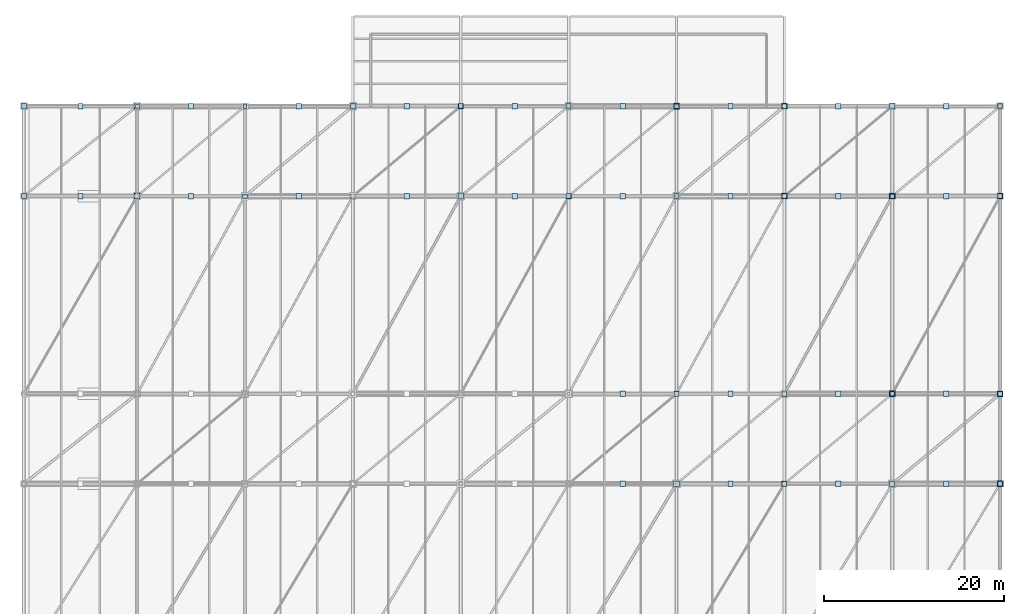
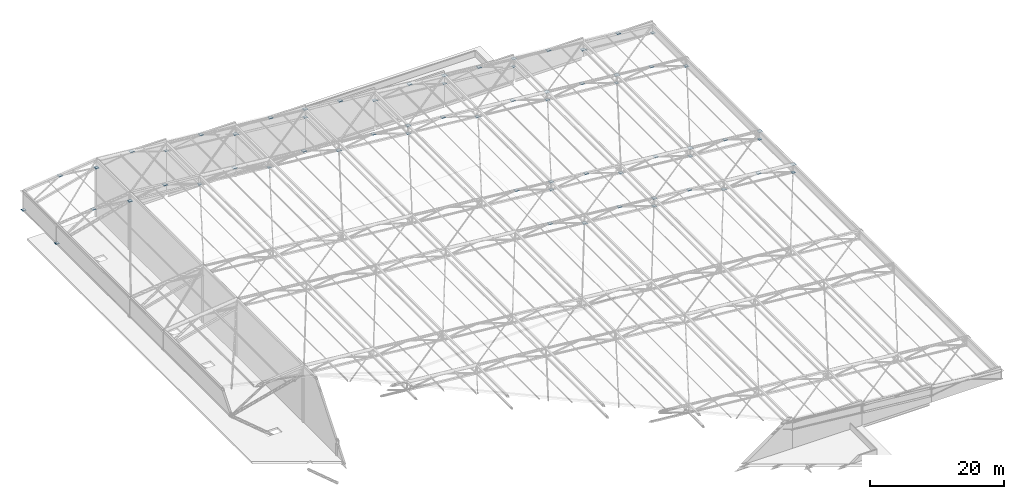
# One storey, part 42 of 44: 71 plates.
"""IFC4 building model written with IfcOpenShell, lengths in metres."""

from ifc_helpers import new_model, si_unit, direction, frame, origin, origin_2d, place, context, subcontext, project, spatial, rectangle, extrude, material, layer, layer_set, type_object, element, save


model = new_model("IFC4")

# Units and contexts
model_context = context("Model", 3, precision=1e-05, world=origin(), true_north=direction((0.0, 1.0)))
body_context = subcontext(model_context, "Body", "Model", "MODEL_VIEW")
ifc_project = project(units=[si_unit("LENGTHUNIT", "METRE"), si_unit("AREAUNIT", "SQUARE_METRE"), si_unit("VOLUMEUNIT", "CUBIC_METRE"), si_unit("PLANEANGLEUNIT", "RADIAN"), si_unit("MASSUNIT", "GRAM", prefix="KILO")], contexts=[model_context])

# Site, building, storey
site_placement = place(None, origin())
site = spatial("IfcSite", under=ifc_project, at=site_placement, CompositionType="ELEMENT")
building_placement = place(site_placement, origin())
building = spatial("IfcBuilding", under=site, at=building_placement, Name="Brinegate Civic Arena", CompositionType="ELEMENT")
storey_placement = place(building_placement, frame((0.0, 0.0, 29.39990234375)))
storey = spatial("IfcBuildingStorey", under=building, at=storey_placement, Name="RF", CompositionType="ELEMENT", Elevation=29.39990234375)

# Plates
ifc_material = material(Name="Steel S355", Category="steel")
ifc_layer_1 = layer(ifc_material, 0.02392578125, Name="Steel S355")
ifc_layer_set_1 = layer_set([ifc_layer_1], Name="Steel S355")
plate_type_1 = type_object("IfcPlateType", Name="PLATE-BASE-480X24", PredefinedType="SHEET", material=ifc_layer_set_1)
for number, where, z_axis, x_axis, name in (
    (1, (156.0, 82.0, 0.088134765625), (0.0, 0.0, 1.0), (1.0, 0.0, 0.0), "Welded Steel Node Cap Plate NPL-B-174"),
    (2, (84.0, 104.0, 6.838134765625), (0.0, 0.0, 1.0), (1.0, 0.0, 0.0), "Welded Steel Node Cap Plate NPL-B-191"),
    (3, (144.0, 104.0, 1.213134765625), (0.0, 0.0, 1.0), (1.0, 0.0, 0.0), "Welded Steel Node Cap Plate NPL-B-201"),
    (4, (72.0, 114.0, 7.963134765625), (0.0, 0.0, 1.0), (1.0, 0.0, 0.0), "Welded Steel Node Cap Plate NPL-B-218"),
    (5, (132.0, 114.0, 2.338134765625), (0.0, 0.0, 1.0), (1.0, 0.0, 0.0), "Welded Steel Node Cap Plate NPL-B-228"),
    (6, (156.0, 72.0, 0.09716796875), (0.0, 0.0, 1.0), (1.0, 0.0, 0.0), "Welded Steel Column Node Cap Plate CPL-TOP-039"),
    (7, (156.0, 82.0, 0.09716796875), (0.0, 0.0, 1.0), (1.0, 0.0, 0.0), "Welded Steel Column Node Cap Plate CPL-TOP-041"),
    (8, (156.0, 104.0, 0.09716796875), (0.0, 0.0, 1.0), (1.0, 0.0, 0.0), "Welded Steel Column Node Cap Plate CPL-TOP-043"),
    (9, (156.0, 114.0, 0.09716796875), (0.0, 0.0, 1.0), (1.0, 0.0, 0.0), "Welded Steel Column Node Cap Plate CPL-TOP-045"),
):
    element("IfcPlate", number, at=place(storey_placement, frame(where, z_axis=z_axis, x_axis=x_axis)), inside=storey, type_object=plate_type_1, Name=name, PredefinedType="SHEET", context=body_context, shape_type="SweptSolid", body=[
        extrude(rectangle(XDim=0.47998046875, YDim=0.47998046875, at=origin_2d()), origin(), (0.0, 0.0, 1.0), 0.02392578125),
    ])
ifc_layer_2 = layer(ifc_material, 0.02587890625, Name="Steel S355")
ifc_layer_set_2 = layer_set([ifc_layer_2], Name="Steel S355")
plate_type_2 = type_object("IfcPlateType", Name="PLATE-BASE-640X26", PredefinedType="SHEET", material=ifc_layer_set_2)
for number, where, z_axis, x_axis, name in (
    (10, (60.0, 104.0, 9.09716796875), (0.0, 0.0, 1.0), (1.0, 0.0, 0.0), "Welded Steel Column Node Cap Plate CPL-TOP-042"),
    (11, (60.0, 114.0, 9.09716796875), (0.0, 0.0, 1.0), (1.0, 0.0, 0.0), "Welded Steel Column Node Cap Plate CPL-TOP-044"),
):
    element("IfcPlate", number, at=place(storey_placement, frame(where, z_axis=z_axis, x_axis=x_axis)), inside=storey, type_object=plate_type_2, Name=name, PredefinedType="SHEET", context=body_context, shape_type="SweptSolid", body=[
        extrude(rectangle(XDim=0.639892578125, YDim=0.639892578125, at=origin_2d()), origin(), (0.0, 0.0, 1.0), 0.02587890625),
    ])
ifc_layer_3 = layer(ifc_material, 0.02001953125, Name="Steel S355")
ifc_layer_set_3 = layer_set([ifc_layer_3], Name="Steel S355")
plate_type_3 = type_object("IfcPlateType", Name="PLATE-CAP-520X20", PredefinedType="SHEET", material=ifc_layer_set_3)
for number, where, z_axis, x_axis, name in (
    (12, (156.0, 72.0, 0.090087890625), (0.0, 0.0, 1.0), (1.0, 0.0, 0.0), "Welded Steel Node Cap Plate NPL-B-145"),
    (13, (144.0, 82.0, 1.215087890625), (0.0, 0.0, 1.0), (1.0, 0.0, 0.0), "Welded Steel Node Cap Plate NPL-B-172"),
    (14, (72.0, 104.0, 7.965087890625), (0.0, 0.0, 1.0), (1.0, 0.0, 0.0), "Welded Steel Node Cap Plate NPL-B-189"),
    (15, (132.0, 104.0, 2.340087890625), (0.0, 0.0, 1.0), (1.0, 0.0, 0.0), "Welded Steel Node Cap Plate NPL-B-199"),
    (16, (60.0, 114.0, 9.090087890625), (0.0, 0.0, 1.0), (1.0, 0.0, 0.0), "Welded Steel Node Cap Plate NPL-B-216"),
    (17, (120.0, 114.0, 3.465087890625), (0.0, 0.0, 1.0), (1.0, 0.0, 0.0), "Welded Steel Node Cap Plate NPL-B-226"),
):
    element("IfcPlate", number, at=place(storey_placement, frame(where, z_axis=z_axis, x_axis=x_axis)), inside=storey, type_object=plate_type_3, Name=name, PredefinedType="SHEET", context=body_context, shape_type="SweptSolid", body=[
        extrude(rectangle(XDim=0.52001953125, YDim=0.52001953125, at=origin_2d()), origin(), (0.0, 0.0, 1.0), 0.02001953125),
    ])
ifc_layer_4 = layer(ifc_material, 0.02392578125, Name="Steel S355")
ifc_layer_set_4 = layer_set([ifc_layer_4], Name="Steel S355")
plate_type_4 = type_object("IfcPlateType", Name="PLATE-CAP-550X24", PredefinedType="SHEET", material=ifc_layer_set_4)
for number, where, z_axis, x_axis, name in (
    (18, (132.0, 72.0, 2.338134765625), (0.0, 0.0, 1.0), (1.0, 0.0, 0.0), "Welded Steel Node Cap Plate NPL-B-141"),
    (19, (120.0, 82.0, 3.463134765625), (0.0, 0.0, 1.0), (1.0, 0.0, 0.0), "Welded Steel Node Cap Plate NPL-B-168"),
    (20, (47.39990234375, 104.0, 5.7880859375), (0.0, 0.0, 1.0), (1.0, 0.0, 0.0), "Welded Steel Node Cap Plate NPL-B-185"),
    (21, (108.0, 104.0, 4.588134765625), (0.0, 0.0, 1.0), (1.0, 0.0, 0.0), "Welded Steel Node Cap Plate NPL-B-195"),
    (22, (96.0, 114.0, 5.713134765625), (0.0, 0.0, 1.0), (1.0, 0.0, 0.0), "Welded Steel Node Cap Plate NPL-B-222"),
    (23, (156.0, 114.0, 0.088134765625), (0.0, 0.0, 1.0), (1.0, 0.0, 0.0), "Welded Steel Node Cap Plate NPL-B-232"),
):
    element("IfcPlate", number, at=place(storey_placement, frame(where, z_axis=z_axis, x_axis=x_axis)), inside=storey, type_object=plate_type_4, Name=name, PredefinedType="SHEET", context=body_context, shape_type="SweptSolid", body=[
        extrude(rectangle(XDim=0.550048828125, YDim=0.550048828125, at=origin_2d()), origin(), (0.0, 0.0, 1.0), 0.02392578125),
    ])
ifc_layer_5 = layer(ifc_material, 0.02197265625, Name="Steel S355")
ifc_layer_set_5 = layer_set([ifc_layer_5], Name="Steel S355")
plate_type_5 = type_object("IfcPlateType", Name="PLATE-CAP-580X22", PredefinedType="SHEET", material=ifc_layer_set_5)
for number, where, z_axis, x_axis, name in (
    (24, (144.0, 72.0, 1.214111328125), (0.0, 0.0, 1.0), (1.0, 0.0, 0.0), "Welded Steel Node Cap Plate NPL-B-143"),
    (25, (132.0, 82.0, 2.339111328125), (0.0, 0.0, 1.0), (1.0, 0.0, 0.0), "Welded Steel Node Cap Plate NPL-B-170"),
    (26, (60.0, 104.0, 9.089111328125), (0.0, 0.0, 1.0), (1.0, 0.0, 0.0), "Welded Steel Node Cap Plate NPL-B-187"),
    (27, (120.0, 104.0, 3.464111328125), (0.0, 0.0, 1.0), (1.0, 0.0, 0.0), "Welded Steel Node Cap Plate NPL-B-197"),
    (28, (47.39990234375, 114.0, 5.7890625), (0.0, 0.0, 1.0), (1.0, 0.0, 0.0), "Welded Steel Node Cap Plate NPL-B-214"),
    (29, (108.0, 114.0, 4.589111328125), (0.0, 0.0, 1.0), (1.0, 0.0, 0.0), "Welded Steel Node Cap Plate NPL-B-224"),
):
    element("IfcPlate", number, at=place(storey_placement, frame(where, z_axis=z_axis, x_axis=x_axis)), inside=storey, type_object=plate_type_5, Name=name, PredefinedType="SHEET", context=body_context, shape_type="SweptSolid", body=[
        extrude(rectangle(XDim=0.580078125, YDim=0.580078125, at=origin_2d()), origin(), (0.0, 0.0, 1.0), 0.02197265625),
    ])
ifc_layer_6 = layer(ifc_material, 0.02587890625, Name="Steel S355")
ifc_layer_set_6 = layer_set([ifc_layer_6], Name="Steel S355")
plate_type_6 = type_object("IfcPlateType", Name="PLATE-NODE-600X26", PredefinedType="SHEET", material=ifc_layer_set_6)
for number, where, z_axis, x_axis, name in (
    (30, (114.0, 72.0, 5.47509765625), (0.0, 0.0, 1.0), (1.0, 0.0, 0.0), "Welded Steel Node Cap Plate NPL-M-122"),
    (31, (126.0, 72.0, 4.35009765625), (0.0, 0.0, 1.0), (1.0, 0.0, 0.0), "Welded Steel Node Cap Plate NPL-M-123"),
    (32, (138.0, 72.0, 3.22509765625), (0.0, 0.0, 1.0), (1.0, 0.0, 0.0), "Welded Steel Node Cap Plate NPL-M-124"),
    (33, (150.0, 72.0, 2.10009765625), (0.0, 0.0, 1.0), (1.0, 0.0, 0.0), "Welded Steel Node Cap Plate NPL-M-125"),
    (34, (132.0, 72.0, 3.787109375), (0.0, 0.0, 1.0), (1.0, 0.0, 0.0), "Welded Steel Node Cap Plate NPL-T-140"),
    (35, (114.0, 82.0, 5.47509765625), (0.0, 0.0, 1.0), (1.0, 0.0, 0.0), "Welded Steel Node Cap Plate NPL-M-151"),
    (36, (126.0, 82.0, 4.35009765625), (0.0, 0.0, 1.0), (1.0, 0.0, 0.0), "Welded Steel Node Cap Plate NPL-M-152"),
    (37, (138.0, 82.0, 3.22509765625), (0.0, 0.0, 1.0), (1.0, 0.0, 0.0), "Welded Steel Node Cap Plate NPL-M-153"),
    (38, (150.0, 82.0, 2.10009765625), (0.0, 0.0, 1.0), (1.0, 0.0, 0.0), "Welded Steel Node Cap Plate NPL-M-154"),
    (39, (120.0, 82.0, 4.912109375), (0.0, 0.0, 1.0), (1.0, 0.0, 0.0), "Welded Steel Node Cap Plate NPL-T-167"),
    (40, (53.699951171875, 104.0, 9.837158203125), (0.0, 0.0, 1.0), (1.0, 0.0, 0.0), "Welded Steel Node Cap Plate NPL-M-175"),
    (41, (66.0, 104.0, 9.97509765625), (0.0, 0.0, 1.0), (1.0, 0.0, 0.0), "Welded Steel Node Cap Plate NPL-M-176"),
    (42, (78.0, 104.0, 8.85009765625), (0.0, 0.0, 1.0), (1.0, 0.0, 0.0), "Welded Steel Node Cap Plate NPL-M-177"),
    (43, (90.0, 104.0, 7.72509765625), (0.0, 0.0, 1.0), (1.0, 0.0, 0.0), "Welded Steel Node Cap Plate NPL-M-178"),
    (44, (102.0, 104.0, 6.60009765625), (0.0, 0.0, 1.0), (1.0, 0.0, 0.0), "Welded Steel Node Cap Plate NPL-M-179"),
    (45, (114.0, 104.0, 5.47509765625), (0.0, 0.0, 1.0), (1.0, 0.0, 0.0), "Welded Steel Node Cap Plate NPL-M-180"),
    (46, (126.0, 104.0, 4.35009765625), (0.0, 0.0, 1.0), (1.0, 0.0, 0.0), "Welded Steel Node Cap Plate NPL-M-181"),
    (47, (138.0, 104.0, 3.22509765625), (0.0, 0.0, 1.0), (1.0, 0.0, 0.0), "Welded Steel Node Cap Plate NPL-M-182"),
    (48, (150.0, 104.0, 2.10009765625), (0.0, 0.0, 1.0), (1.0, 0.0, 0.0), "Welded Steel Node Cap Plate NPL-M-183"),
    (49, (108.0, 104.0, 6.037109375), (0.0, 0.0, 1.0), (1.0, 0.0, 0.0), "Welded Steel Node Cap Plate NPL-T-194"),
    (50, (53.699951171875, 114.0, 9.837158203125), (0.0, 0.0, 1.0), (1.0, 0.0, 0.0), "Welded Steel Node Cap Plate NPL-M-204"),
    (51, (66.0, 114.0, 9.97509765625), (0.0, 0.0, 1.0), (1.0, 0.0, 0.0), "Welded Steel Node Cap Plate NPL-M-205"),
    (52, (78.0, 114.0, 8.85009765625), (0.0, 0.0, 1.0), (1.0, 0.0, 0.0), "Welded Steel Node Cap Plate NPL-M-206"),
    (53, (90.0, 114.0, 7.72509765625), (0.0, 0.0, 1.0), (1.0, 0.0, 0.0), "Welded Steel Node Cap Plate NPL-M-207"),
    (54, (102.0, 114.0, 6.60009765625), (0.0, 0.0, 1.0), (1.0, 0.0, 0.0), "Welded Steel Node Cap Plate NPL-M-208"),
    (55, (114.0, 114.0, 5.47509765625), (0.0, 0.0, 1.0), (1.0, 0.0, 0.0), "Welded Steel Node Cap Plate NPL-M-209"),
    (56, (126.0, 114.0, 4.35009765625), (0.0, 0.0, 1.0), (1.0, 0.0, 0.0), "Welded Steel Node Cap Plate NPL-M-210"),
    (57, (138.0, 114.0, 3.22509765625), (0.0, 0.0, 1.0), (1.0, 0.0, 0.0), "Welded Steel Node Cap Plate NPL-M-211"),
    (58, (150.0, 114.0, 2.10009765625), (0.0, 0.0, 1.0), (1.0, 0.0, 0.0), "Welded Steel Node Cap Plate NPL-M-212"),
    (59, (96.0, 114.0, 7.162109375), (0.0, 0.0, 1.0), (1.0, 0.0, 0.0), "Welded Steel Node Cap Plate NPL-T-221"),
):
    element("IfcPlate", number, at=place(storey_placement, frame(where, z_axis=z_axis, x_axis=x_axis)), inside=storey, type_object=plate_type_6, Name=name, PredefinedType="SHEET", context=body_context, shape_type="SweptSolid", body=[
        extrude(rectangle(XDim=0.60009765625, YDim=0.60009765625, at=origin_2d()), origin(), (0.0, 0.0, 1.0), 0.02587890625),
    ])
ifc_layer_7 = layer(ifc_material, 0.02392578125, Name="Steel S355")
ifc_layer_set_7 = layer_set([ifc_layer_7], Name="Steel S355")
plate_type_7 = type_object("IfcPlateType", Name="PLATE-NODE-650X24", PredefinedType="SHEET", material=ifc_layer_set_7)
for number, where, z_axis, x_axis, name in (
    (60, (120.0, 72.0, 3.463134765625), (0.0, 0.0, 1.0), (1.0, 0.0, 0.0), "Welded Steel Node Cap Plate NPL-B-139"),
    (61, (96.0, 104.0, 5.713134765625), (0.0, 0.0, 1.0), (1.0, 0.0, 0.0), "Welded Steel Node Cap Plate NPL-B-193"),
    (62, (156.0, 104.0, 0.088134765625), (0.0, 0.0, 1.0), (1.0, 0.0, 0.0), "Welded Steel Node Cap Plate NPL-B-203"),
    (63, (84.0, 114.0, 6.838134765625), (0.0, 0.0, 1.0), (1.0, 0.0, 0.0), "Welded Steel Node Cap Plate NPL-B-220"),
    (64, (144.0, 114.0, 1.213134765625), (0.0, 0.0, 1.0), (1.0, 0.0, 0.0), "Welded Steel Node Cap Plate NPL-B-230"),
):
    element("IfcPlate", number, at=place(storey_placement, frame(where, z_axis=z_axis, x_axis=x_axis)), inside=storey, type_object=plate_type_7, Name=name, PredefinedType="SHEET", context=body_context, shape_type="SweptSolid", body=[
        extrude(rectangle(XDim=0.64990234375, YDim=0.64990234375, at=origin_2d()), origin(), (0.0, 0.0, 1.0), 0.02392578125),
    ])
ifc_layer_8 = layer(ifc_material, 0.02392578125, Name="Steel S355")
ifc_layer_set_8 = layer_set([ifc_layer_8], Name="Steel S355")
plate_type_8 = type_object("IfcPlateType", Name="PLATE-NODE-680X24", PredefinedType="SHEET", material=ifc_layer_set_8)
for number, where, z_axis, x_axis, name in (
    (65, (156.0, 82.0, 1.5380859375), (0.0, 0.0, 1.0), (1.0, 0.0, 0.0), "Welded Steel Node Cap Plate NPL-T-173"),
    (66, (144.0, 104.0, 2.6630859375), (0.0, 0.0, 1.0), (1.0, 0.0, 0.0), "Welded Steel Node Cap Plate NPL-T-200"),
    (67, (132.0, 114.0, 3.7880859375), (0.0, 0.0, 1.0), (1.0, 0.0, 0.0), "Welded Steel Node Cap Plate NPL-T-227"),
):
    element("IfcPlate", number, at=place(storey_placement, frame(where, z_axis=z_axis, x_axis=x_axis)), inside=storey, type_object=plate_type_8, Name=name, PredefinedType="SHEET", context=body_context, shape_type="SweptSolid", body=[
        extrude(rectangle(XDim=0.679931640625, YDim=0.679931640625, at=origin_2d()), origin(), (0.0, 0.0, 1.0), 0.02392578125),
    ])
ifc_layer_9 = layer(ifc_material, 0.02587890625, Name="Steel S355")
ifc_layer_set_9 = layer_set([ifc_layer_9], Name="Steel S355")
plate_type_9 = type_object("IfcPlateType", Name="PLATE-NODE-700X26", PredefinedType="SHEET", material=ifc_layer_set_9)
for number, where, z_axis, x_axis, name in (
    (68, (156.0, 72.0, 1.537109375), (0.0, 0.0, 1.0), (1.0, 0.0, 0.0), "Welded Steel Node Cap Plate NPL-T-144"),
    (69, (144.0, 82.0, 2.662109375), (0.0, 0.0, 1.0), (1.0, 0.0, 0.0), "Welded Steel Node Cap Plate NPL-T-171"),
    (70, (132.0, 104.0, 3.787109375), (0.0, 0.0, 1.0), (1.0, 0.0, 0.0), "Welded Steel Node Cap Plate NPL-T-198"),
    (71, (120.0, 114.0, 4.912109375), (0.0, 0.0, 1.0), (1.0, 0.0, 0.0), "Welded Steel Node Cap Plate NPL-T-225"),
):
    element("IfcPlate", number, at=place(storey_placement, frame(where, z_axis=z_axis, x_axis=x_axis)), inside=storey, type_object=plate_type_9, Name=name, PredefinedType="SHEET", context=body_context, shape_type="SweptSolid", body=[
        extrude(rectangle(XDim=0.699951171875, YDim=0.699951171875, at=origin_2d()), origin(), (0.0, 0.0, 1.0), 0.02587890625),
    ])

save(model, "model.ifc")
